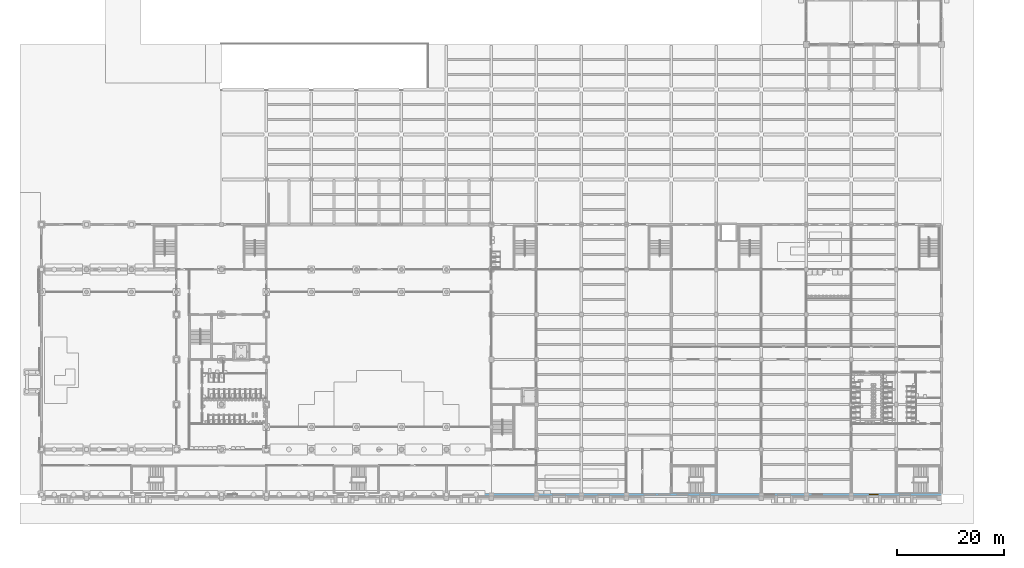
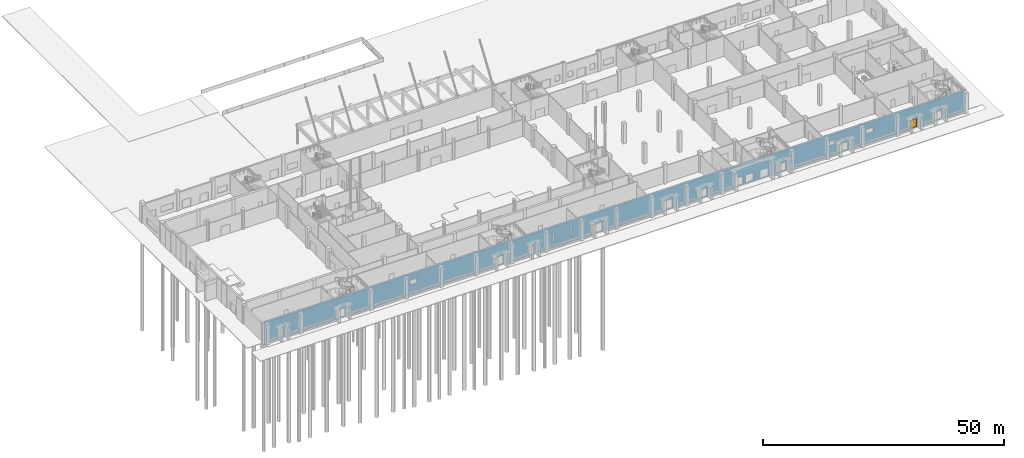
# One storey, part 28 of 74: 1 door, 19 openings, plus 1 element that does not belong to this part.
"""IFC4 building model written with IfcOpenShell, lengths in metres."""

from ifc_helpers import new_model, si_unit, direction, frame, frame_2d, origin, place, context, subcontext, project, spatial, rectangle, extrude, material, layer, layer_set, type_object, element, fill, save


model = new_model("IFC4")

# Units and contexts
model_context = context("Model", 3, precision=1e-05, world=origin(), true_north=direction((0.0, 1.0)))
body_context = subcontext(model_context, "Body", "Model", "MODEL_VIEW")
ifc_project = project(units=[si_unit("LENGTHUNIT", "METRE"), si_unit("AREAUNIT", "SQUARE_METRE"), si_unit("VOLUMEUNIT", "CUBIC_METRE"), si_unit("PLANEANGLEUNIT", "RADIAN"), si_unit("MASSUNIT", "GRAM", prefix="KILO")], contexts=[model_context])

# Site, building, storey
site_placement = place(None, origin())
site = spatial("IfcSite", under=ifc_project, at=site_placement, CompositionType="ELEMENT")
building_placement = place(site_placement, origin())
building = spatial("IfcBuilding", under=site, at=building_placement, Name="Rulbaag Community and Learning Centre", CompositionType="ELEMENT")
storey_placement = place(building_placement, origin())
storey = spatial("IfcBuildingStorey", under=building, at=storey_placement, Name="L00", CompositionType="ELEMENT", Elevation=0.0)

# Wall, openings, door
ifc_material_1 = material(Name="Concrete M40", Category="concrete")
ifc_layer = layer(ifc_material_1, 0.449951171875)
ifc_layer_set = layer_set([ifc_layer], Name="W12 Rail-side wall 450 Concrete M40")
wall_type = type_object("IfcWallType", Name="W12 Rail-side wall 450 Concrete M40", PredefinedType="SOLIDWALL", material=ifc_layer_set)
wall_placement = place(storey_placement, frame((0.0, 0.0, -0.300048828125), z_axis=(0.0, 0.0, 1.0), x_axis=(1.0, 0.0, 0.0)))
wall = element("IfcWall", 1, at=wall_placement, inside=storey, type_object=wall_type, Name="WL-RAIL-L00", PredefinedType="SOLIDWALL", context=body_context, shape_type="SweptSolid", body=[
    extrude(rectangle(XDim=168.0, YDim=0.449951171875, at=frame_2d((84.0, 0.0))), origin(), (0.0, 0.0, 1.0), 5.400146484375),
])
opening_1_placement = place(wall_placement, frame((34.800048828125, 0.0, 2.699951171875)))
element("IfcOpeningElement", 2, at=opening_1_placement, cuts=wall, Name="Opening WN7", PredefinedType="OPENING", context=body_context, shape_type="SweptSolid", body=[
    extrude(rectangle(XDim=1.800048828125, YDim=1.199951171875, at=frame_2d((0.89990234375, 0.60009765625))), frame((0.0, 0.23486328125, 0.0), z_axis=(0.0, -1.0, 0.0), x_axis=(1.0, 0.0, 0.0)), (0.0, 0.0, 1.0), 0.469970703125),
])
opening_2_placement = place(wall_placement, frame((69.074951171875, 0.0, 1.5)))
element("IfcOpeningElement", 3, at=opening_2_placement, cuts=wall, Name="Opening WN6", PredefinedType="OPENING", context=body_context, shape_type="SweptSolid", body=[
    extrude(rectangle(XDim=0.449951171875, YDim=2.39990234375, at=frame_2d((0.22509765625, 1.199951171875))), frame((0.0, 0.23486328125, 0.0), z_axis=(0.0, -1.0, 0.0), x_axis=(1.0, 0.0, 0.0)), (0.0, 0.0, 1.0), 0.469970703125),
])
opening_3_placement = place(wall_placement, frame((73.27490234375, 0.0, 1.5)))
element("IfcOpeningElement", 4, at=opening_3_placement, cuts=wall, Name="Opening WN6", PredefinedType="OPENING", context=body_context, shape_type="SweptSolid", body=[
    extrude(rectangle(XDim=0.449951171875, YDim=2.39990234375, at=frame_2d((0.22509765625, 1.199951171875))), frame((0.0, 0.23486328125, 0.0), z_axis=(0.0, -1.0, 0.0), x_axis=(1.0, 0.0, 0.0)), (0.0, 0.0, 1.0), 0.469970703125),
])
opening_4_placement = place(wall_placement, frame((135.0, 0.0, 2.699951171875)))
element("IfcOpeningElement", 5, at=opening_4_placement, cuts=wall, Name="Opening WN7", PredefinedType="OPENING", context=body_context, shape_type="SweptSolid", body=[
    extrude(rectangle(XDim=1.800048828125, YDim=1.199951171875, at=frame_2d((0.89990234375, 0.60009765625))), frame((0.0, 0.23486328125, 0.0), z_axis=(0.0, -1.0, 0.0), x_axis=(1.0, 0.0, 0.0)), (0.0, 0.0, 1.0), 0.469970703125),
])
opening_5_placement = place(wall_placement, frame((144.0, 0.0, 2.699951171875)))
element("IfcOpeningElement", 6, at=opening_5_placement, cuts=wall, Name="Opening WN7", PredefinedType="OPENING", context=body_context, shape_type="SweptSolid", body=[
    extrude(rectangle(XDim=1.800048828125, YDim=1.199951171875, at=frame_2d((0.89990234375, 0.60009765625))), frame((0.0, 0.23486328125, 0.0), z_axis=(0.0, -1.0, 0.0), x_axis=(1.0, 0.0, 0.0)), (0.0, 0.0, 1.0), 0.469970703125),
])
opening_6_placement = place(wall_placement, frame((114.60009765625, 0.0, 0.300048828125), z_axis=(0.0, 0.0, 1.0), x_axis=(-1.0, 0.0, 0.0)))
element("IfcOpeningElement", 7, at=opening_6_placement, cuts=wall, Name="Opening L00-D098", PredefinedType="OPENING", context=body_context, shape_type="SweptSolid", body=[
    extrude(rectangle(XDim=2.10009765625, YDim=2.199951171875, at=frame_2d((1.050048828125, 1.10009765625))), frame((0.0, 0.23486328125, 0.0), z_axis=(0.0, -1.0, 0.0), x_axis=(1.0, 0.0, 0.0)), (0.0, 0.0, 1.0), 0.469970703125),
])
opening_7_placement = place(wall_placement, frame((117.300048828125, 0.0, 0.300048828125), z_axis=(0.0, 0.0, 1.0), x_axis=(-1.0, 0.0, 0.0)))
element("IfcOpeningElement", 8, at=opening_7_placement, cuts=wall, Name="Opening L00-D100", PredefinedType="OPENING", context=body_context, shape_type="SweptSolid", body=[
    extrude(rectangle(XDim=2.10009765625, YDim=2.199951171875, at=frame_2d((1.050048828125, 1.10009765625))), frame((0.0, 0.23486328125, 0.0), z_axis=(0.0, -1.0, 0.0), x_axis=(1.0, 0.0, 0.0)), (0.0, 0.0, 1.0), 0.469970703125),
])
opening_8_placement = place(wall_placement, frame((106.050048828125, 0.0, 0.300048828125), z_axis=(0.0, 0.0, 1.0), x_axis=(-1.0, 0.0, 0.0)))
element("IfcOpeningElement", 9, at=opening_8_placement, cuts=wall, Name="Opening L00-D094", PredefinedType="OPENING", context=body_context, shape_type="SweptSolid", body=[
    extrude(rectangle(XDim=2.10009765625, YDim=2.199951171875, at=frame_2d((1.050048828125, 1.10009765625))), frame((0.0, 0.23486328125, 0.0), z_axis=(0.0, -1.0, 0.0), x_axis=(1.0, 0.0, 0.0)), (0.0, 0.0, 1.0), 0.469970703125),
])
opening_9_placement = place(wall_placement, frame((57.25, 0.0, 0.300048828125), z_axis=(0.0, 0.0, 1.0), x_axis=(-1.0, 0.0, 0.0)))
element("IfcOpeningElement", 10, at=opening_9_placement, cuts=wall, Name="Opening L00-D066", PredefinedType="OPENING", context=body_context, shape_type="SweptSolid", body=[
    extrude(rectangle(XDim=2.10009765625, YDim=2.199951171875, at=frame_2d((1.050048828125, 1.10009765625))), frame((0.0, 0.23486328125, 0.0), z_axis=(0.0, -1.0, 0.0), x_axis=(1.0, 0.0, 0.0)), (0.0, 0.0, 1.0), 0.469970703125),
])
opening_10_placement = place(wall_placement, frame((120.75, 0.0, 0.300048828125), z_axis=(0.0, 0.0, 1.0), x_axis=(-1.0, 0.0, 0.0)))
element("IfcOpeningElement", 11, at=opening_10_placement, cuts=wall, Name="Opening L00-D106", PredefinedType="OPENING", context=body_context, shape_type="SweptSolid", body=[
    extrude(rectangle(XDim=2.10009765625, YDim=2.199951171875, at=frame_2d((1.050048828125, 1.10009765625))), frame((0.0, 0.23486328125, 0.0), z_axis=(0.0, -1.0, 0.0), x_axis=(1.0, 0.0, 0.0)), (0.0, 0.0, 1.0), 0.469970703125),
])
opening_11_placement = place(wall_placement, frame((124.9501953125, 0.0, 0.300048828125), z_axis=(0.0, 0.0, 1.0), x_axis=(-1.0, 0.0, 0.0)))
element("IfcOpeningElement", 12, at=opening_11_placement, cuts=wall, Name="Opening L00-D110", PredefinedType="OPENING", context=body_context, shape_type="SweptSolid", body=[
    extrude(rectangle(XDim=2.10009765625, YDim=2.199951171875, at=frame_2d((1.050048828125, 1.10009765625))), frame((0.0, 0.23486328125, 0.0), z_axis=(0.0, -1.0, 0.0), x_axis=(1.0, 0.0, 0.0)), (0.0, 0.0, 1.0), 0.469970703125),
])
opening_12_placement = place(wall_placement, frame((19.4501953125, 0.0, 0.300048828125), z_axis=(0.0, 0.0, 1.0), x_axis=(-1.0, 0.0, 0.0)))
element("IfcOpeningElement", 13, at=opening_12_placement, cuts=wall, Name="Opening L00-D013", PredefinedType="OPENING", context=body_context, shape_type="SweptSolid", body=[
    extrude(rectangle(XDim=2.10009765625, YDim=2.199951171875, at=frame_2d((1.050048828125, 1.10009765625))), frame((0.0, 0.23486328125, 0.0), z_axis=(0.0, -1.0, 0.0), x_axis=(1.0, 0.0, 0.0)), (0.0, 0.0, 1.0), 0.469970703125),
])
opening_13_placement = place(wall_placement, frame((162.25, 0.0, 0.300048828125), z_axis=(0.0, 0.0, 1.0), x_axis=(-1.0, 0.0, 0.0)))
element("IfcOpeningElement", 14, at=opening_13_placement, cuts=wall, Name="Opening L00-D177", PredefinedType="OPENING", context=body_context, shape_type="SweptSolid", body=[
    extrude(rectangle(XDim=2.10009765625, YDim=2.199951171875, at=frame_2d((1.050048828125, 1.10009765625))), frame((0.0, 0.23486328125, 0.0), z_axis=(0.0, -1.0, 0.0), x_axis=(1.0, 0.0, 0.0)), (0.0, 0.0, 1.0), 0.469970703125),
])
opening_14_placement = place(wall_placement, frame((4.800048828125, 0.0, 0.300048828125), z_axis=(0.0, 0.0, 1.0), x_axis=(-1.0, 0.0, 0.0)))
element("IfcOpeningElement", 15, at=opening_14_placement, cuts=wall, Name="Opening L00-D005", PredefinedType="OPENING", context=body_context, shape_type="SweptSolid", body=[
    extrude(rectangle(XDim=1.199951171875, YDim=2.199951171875, at=frame_2d((0.60009765625, 1.10009765625))), frame((0.0, 0.23486328125, 0.0), z_axis=(0.0, -1.0, 0.0), x_axis=(1.0, 0.0, 0.0)), (0.0, 0.0, 1.0), 0.469970703125),
])
opening_15_placement = place(wall_placement, frame((64.800048828125, 0.0, 0.300048828125), z_axis=(0.0, 0.0, 1.0), x_axis=(-1.0, 0.0, 0.0)))
element("IfcOpeningElement", 16, at=opening_15_placement, cuts=wall, Name="Opening L00-D072", PredefinedType="OPENING", context=body_context, shape_type="SweptSolid", body=[
    extrude(rectangle(XDim=1.199951171875, YDim=2.199951171875, at=frame_2d((0.60009765625, 1.10009765625))), frame((0.0, 0.23486328125, 0.0), z_axis=(0.0, -1.0, 0.0), x_axis=(1.0, 0.0, 0.0)), (0.0, 0.0, 1.0), 0.469970703125),
])
opening_16_placement = place(wall_placement, frame((81.0, 0.0, 0.300048828125), z_axis=(0.0, 0.0, 1.0), x_axis=(-1.0, 0.0, 0.0)))
element("IfcOpeningElement", 17, at=opening_16_placement, cuts=wall, Name="Opening L00-D075", PredefinedType="OPENING", context=body_context, shape_type="SweptSolid", body=[
    extrude(rectangle(XDim=2.39990234375, YDim=2.39990234375, at=frame_2d((1.199951171875, 1.199951171875))), frame((0.0, 0.23486328125, 0.0), z_axis=(0.0, -1.0, 0.0), x_axis=(1.0, 0.0, 0.0)), (0.0, 0.0, 1.0), 0.469970703125),
])
opening_17_placement = place(wall_placement, frame((97.7998046875, 0.0, 0.300048828125), z_axis=(0.0, 0.0, 1.0), x_axis=(-1.0, 0.0, 0.0)))
element("IfcOpeningElement", 18, at=opening_17_placement, cuts=wall, Name="Opening L00-D091", PredefinedType="OPENING", context=body_context, shape_type="SweptSolid", body=[
    extrude(rectangle(XDim=2.39990234375, YDim=2.39990234375, at=frame_2d((1.199951171875, 1.199951171875))), frame((0.0, 0.23486328125, 0.0), z_axis=(0.0, -1.0, 0.0), x_axis=(1.0, 0.0, 0.0)), (0.0, 0.0, 1.0), 0.469970703125),
])
opening_18_placement = place(wall_placement, frame((139.7998046875, 0.0, 0.300048828125), z_axis=(0.0, 0.0, 1.0), x_axis=(-1.0, 0.0, 0.0)))
element("IfcOpeningElement", 19, at=opening_18_placement, cuts=wall, Name="Opening L00-D122", PredefinedType="OPENING", context=body_context, shape_type="SweptSolid", body=[
    extrude(rectangle(XDim=2.39990234375, YDim=2.10009765625, at=frame_2d((1.199951171875, 1.050048828125))), frame((0.0, 0.23486328125, 0.0), z_axis=(0.0, -1.0, 0.0), x_axis=(1.0, 0.0, 0.0)), (0.0, 0.0, 1.0), 0.469970703125),
])
opening_19_placement = place(wall_placement, frame((156.300048828125, 0.0, 0.300048828125), z_axis=(0.0, 0.0, 1.0), x_axis=(-1.0, 0.0, 0.0)))
opening_19 = element("IfcOpeningElement", 20, at=opening_19_placement, cuts=wall, Name="Opening L00-D155", PredefinedType="OPENING", context=body_context, shape_type="SweptSolid", body=[
    extrude(rectangle(XDim=1.800048828125, YDim=2.199951171875, at=frame_2d((0.89990234375, 1.10009765625))), frame((0.0, 0.23486328125, 0.0), z_axis=(0.0, -1.0, 0.0), x_axis=(1.0, 0.0, 0.0)), (0.0, 0.0, 1.0), 0.469970703125),
])
ifc_material_2 = material(Name="Galvanised steel", Category="steel")
door_type = type_object("IfcDoorType", Name="DS-18", OperationType="DOUBLE_DOOR_SINGLE_SWING", PredefinedType="DOOR", material=ifc_material_2)
door_placement = place(opening_19_placement, origin())
door = element("IfcDoor", 21, at=door_placement, inside=storey, type_object=door_type, Name="Service door S9 Refuse store", OperationType="SINGLE_SWING_LEFT", OverallHeight=2.199951171875, OverallWidth=1.800048828125, PredefinedType="DOOR", context=body_context, shape_type="SweptSolid", body=[
    extrude(rectangle(XDim=1.800048828125, YDim=0.012939453125, at=frame_2d((0.89990234375, 0.006591796875))), frame((0.0, 0.114990234375, 0.0), z_axis=(0.0, -1.0, 0.0), x_axis=(1.0, 0.0, 0.0)), (0.0, 0.0, 1.0), 0.22998046875),
    extrude(rectangle(XDim=0.074951171875, YDim=2.112060546875, at=frame_2d((0.03759765625, 1.069091796875))), frame((0.0, 0.125, 0.0), z_axis=(0.0, -1.0, 0.0), x_axis=(1.0, 0.0, 0.0)), (0.0, 0.0, 1.0), 0.25),
    extrude(rectangle(XDim=0.074951171875, YDim=2.112060546875, at=frame_2d((1.7626953125, 1.069091796875))), frame((0.0, 0.125, 0.0), z_axis=(0.0, -1.0, 0.0), x_axis=(1.0, 0.0, 0.0)), (0.0, 0.0, 1.0), 0.25),
    extrude(rectangle(XDim=1.800048828125, YDim=0.074951171875, at=frame_2d((0.89990234375, 2.16259765625))), frame((0.0, 0.114990234375, 0.0), z_axis=(0.0, -1.0, 0.0), x_axis=(1.0, 0.0, 0.0)), (0.0, 0.0, 1.0), 0.22998046875),
    extrude(rectangle(XDim=1.650146484375, YDim=2.112060546875, at=frame_2d((0.89990234375, 1.069091796875))), frame((0.0, 0.02490234375, 0.0), z_axis=(0.0, -1.0, 0.0), x_axis=(1.0, 0.0, 0.0)), (0.0, 0.0, 1.0), 0.050048828125),
])
fill(opening_19, door)

save(model, "model.ifc")
